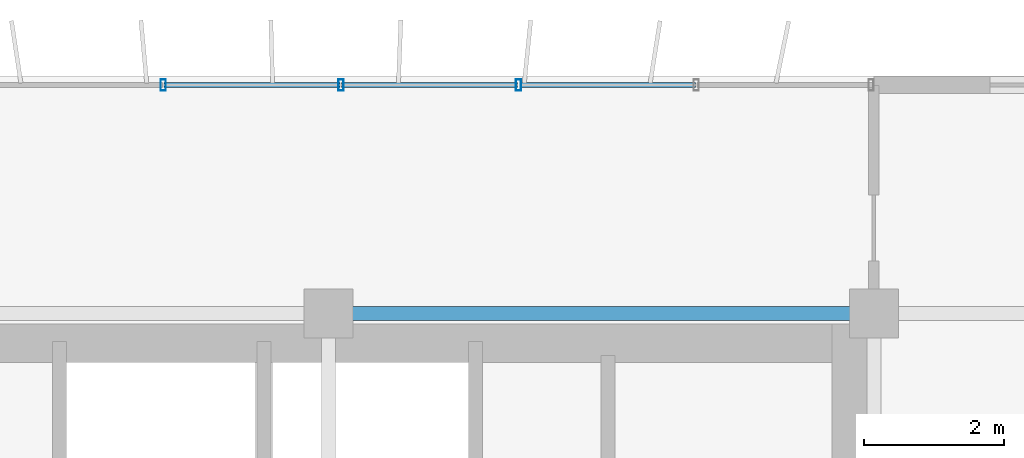
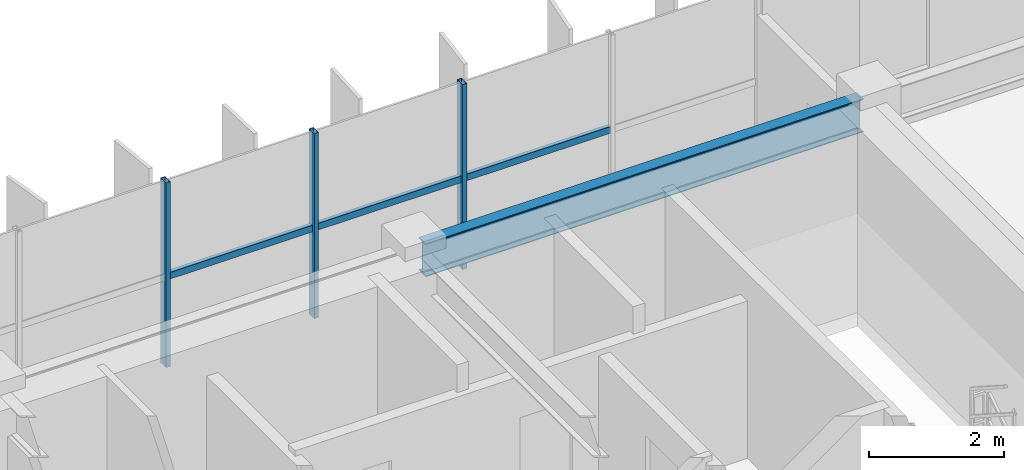
# One storey, part 10 of 20: 6 members, 1 beam, 1 element without a shape of its own.
"""IFC4 building model written with IfcOpenShell, lengths in metres."""

from ifc_helpers import new_model, si_unit, direction, frame, origin, origin_2d, place, context, subcontext, project, spatial, hollow_rectangle, i_section, extrude, source, transform, mapped, material, material_profile, profile_set, type_object, element, aggregate, save


model = new_model("IFC4")

# Units and contexts
model_context = context("Model", 3, precision=1e-05, world=origin(), true_north=direction((0.0, 1.0)))
body_context = subcontext(model_context, "Body", "Model", "MODEL_VIEW")
ifc_project = project(units=[si_unit("LENGTHUNIT", "METRE"), si_unit("AREAUNIT", "SQUARE_METRE"), si_unit("VOLUMEUNIT", "CUBIC_METRE"), si_unit("PLANEANGLEUNIT", "RADIAN"), si_unit("MASSUNIT", "GRAM", prefix="KILO")], contexts=[model_context])

# Site, building, storey
site_placement = place(None, origin())
site = spatial("IfcSite", under=ifc_project, at=site_placement, CompositionType="ELEMENT")
building_placement = place(site_placement, origin())
building = spatial("IfcBuilding", under=site, at=building_placement, Name="Trelvane Seafront Commons", CompositionType="ELEMENT")
storey_placement = place(building_placement, frame((0.0, 0.0, 146.5)))
storey = spatial("IfcBuildingStorey", under=building, at=storey_placement, Name="L38", CompositionType="ELEMENT", Elevation=146.5)

# Beam
ifc_material_1 = material(Name="Steel SM355 (S355)", Category="steel")
ifc_material_profile_1 = material_profile(ifc_material_1, i_section(OverallWidth=0.199951171875, OverallDepth=0.60009765625, WebThickness=0.010986328125, FlangeThickness=0.01708984375, at=origin_2d()), Name="H-600x200x11x17")
ifc_profile_set_1 = profile_set([ifc_material_profile_1], Name="Steel SM355 (S355)")
beam_type = type_object("IfcBeamType", Name="STR-SPD-H600", PredefinedType="SPANDREL", material=ifc_profile_set_1)
shared_shape_1 = source(origin(), body_context, "Body", "SweptSolid", [
    extrude(i_section(OverallWidth=0.199951171875, OverallDepth=0.60009765625, WebThickness=0.010986328125, FlangeThickness=0.01708984375, at=origin_2d()), origin(), (0.0, 0.0, 1.0), 7.5),
])
beam_placement = place(storey_placement, frame((51.14990234375, 45.10009765625, 3.050048828125), z_axis=(1.0, 0.0, 0.0), x_axis=(0.0, 1.0, 0.0)))
element("IfcBeam", 1, at=beam_placement, inside=storey, type_object=beam_type, Name="L38 Primary Girder G-27", PredefinedType="SPANDREL", context=body_context, shape_type="MappedRepresentation", body=[
    mapped(shared_shape_1, transform((0.0, 0.0, 0.0), x_axis=(1.0, 0.0, 0.0), y_axis=(0.0, 1.0, 0.0), z_axis=(0.0, 0.0, 1.0), scale=1.0)),
])

# Curtain wall, members
ifc_material_2 = material(Name="Anodised pale-silver aluminium", Category="aluminium")
curtain_wall_type = type_object("IfcCurtainWallType", Name="ARCH-CW5-UPTOWER", PredefinedType="NOTDEFINED", material=ifc_material_2)
curtain_wall_placement = place(storey_placement, origin())
curtain_wall = element("IfcCurtainWall", 2, at=curtain_wall_placement, inside=storey, type_object=curtain_wall_type, Name="CW-L38-0065", PredefinedType="NOTDEFINED")
ifc_material_profile_2 = material_profile(ifc_material_2, hollow_rectangle(XDim=0.070068359375, YDim=0.1201171875, WallThickness=0.00390625, at=origin_2d()), Name="TRAN-70x120x4")
ifc_profile_set_2 = profile_set([ifc_material_profile_2], Name="Anodised pale-silver aluminium")
member_type_1 = type_object("IfcMemberType", Name="ARCH-CW-TRAN-120", PredefinedType="USERDEFINED", material=ifc_profile_set_2)
shared_shape_2 = source(origin(), body_context, "Body", "SweptSolid", [
    extrude(hollow_rectangle(XDim=0.070068359375, YDim=0.1201171875, WallThickness=0.00390625, at=origin_2d()), origin(), (0.0, 0.0, 1.0), 2.51708984375),
])
member_1_placement = place(storey_placement, frame((51.1884765625, 48.3701171875, 1.60791015625), z_axis=(1.0, 0.0, 0.0), x_axis=(0.0, 1.0, 0.0)))
member_1 = element("IfcMember", 3, at=member_1_placement, type_object=member_type_1, Name="CW-L38-0065-T14", ObjectType="TRANSOM", PredefinedType="USERDEFINED", context=body_context, shape_type="MappedRepresentation", body=[
    mapped(shared_shape_2, transform((0.0, 0.0, 0.0), x_axis=(1.0, 0.0, 0.0), y_axis=(0.0, 1.0, 0.0), z_axis=(0.0, 0.0, 1.0), scale=1.0)),
])
shared_shape_3 = source(origin(), body_context, "Body", "SweptSolid", [
    extrude(hollow_rectangle(XDim=0.070068359375, YDim=0.1201171875, WallThickness=0.00390625, at=origin_2d()), origin(), (0.0, 0.0, 1.0), 2.517333984375),
])
member_2_placement = place(storey_placement, frame((48.647216796875, 48.3701171875, 1.60791015625), z_axis=(1.0, 0.0, 0.0), x_axis=(0.0, 1.0, 0.0)))
member_2 = element("IfcMember", 4, at=member_2_placement, type_object=member_type_1, Name="CW-L38-0065-T13", ObjectType="TRANSOM", PredefinedType="USERDEFINED", context=body_context, shape_type="MappedRepresentation", body=[
    mapped(shared_shape_3, transform((0.0, 0.0, 0.0), x_axis=(1.0, 0.0, 0.0), y_axis=(0.0, 1.0, 0.0), z_axis=(0.0, 0.0, 1.0), scale=1.0)),
])
member_3_placement = place(storey_placement, frame((53.7294921875, 48.3701171875, 1.60791015625), z_axis=(1.0, 0.0, 0.0), x_axis=(0.0, 1.0, 0.0)))
member_3 = element("IfcMember", 5, at=member_3_placement, type_object=member_type_1, Name="CW-L38-0065-T15", ObjectType="TRANSOM", PredefinedType="USERDEFINED", context=body_context, shape_type="MappedRepresentation", body=[
    mapped(shared_shape_3, transform((0.0, 0.0, 0.0), x_axis=(1.0, 0.0, 0.0), y_axis=(0.0, 1.0, 0.0), z_axis=(0.0, 0.0, 1.0), scale=1.0)),
])
ifc_material_profile_3 = material_profile(ifc_material_2, hollow_rectangle(XDim=0.074951171875, YDim=0.159912109375, WallThickness=0.00390625, at=origin_2d()), Name="MULL-75x160x4")
ifc_profile_set_3 = profile_set([ifc_material_profile_3], Name="Anodised pale-silver aluminium")
member_type_2 = type_object("IfcMemberType", Name="ARCH-CW-MULL-160", PredefinedType="MULLION", material=ifc_profile_set_3)
shared_shape_4 = source(origin(), body_context, "Body", "SweptSolid", [
    extrude(hollow_rectangle(XDim=0.074951171875, YDim=0.159912109375, WallThickness=0.00390625, at=origin_2d()), origin(), (0.0, 0.0, 1.0), 3.35009765625),
])
member_4_placement = place(storey_placement, frame((48.63525390625, 48.3701171875, 0.0), z_axis=(0.0, 0.0, 1.0), x_axis=(1.0, 0.0, 0.0)))
member_4 = element("IfcMember", 6, at=member_4_placement, type_object=member_type_2, Name="CW-L38-0065-M13", PredefinedType="MULLION", context=body_context, shape_type="MappedRepresentation", body=[
    mapped(shared_shape_4, transform((0.0, 0.0, 0.0), x_axis=(1.0, 0.0, 0.0), y_axis=(0.0, 1.0, 0.0), z_axis=(0.0, 0.0, 1.0), scale=1.0)),
])
member_5_placement = place(storey_placement, frame((51.176513671875, 48.3701171875, 0.0), z_axis=(0.0, 0.0, 1.0), x_axis=(1.0, 0.0, 0.0)))
member_5 = element("IfcMember", 7, at=member_5_placement, type_object=member_type_2, Name="CW-L38-0065-M14", PredefinedType="MULLION", context=body_context, shape_type="MappedRepresentation", body=[
    mapped(shared_shape_4, transform((0.0, 0.0, 0.0), x_axis=(1.0, 0.0, 0.0), y_axis=(0.0, 1.0, 0.0), z_axis=(0.0, 0.0, 1.0), scale=1.0)),
])
member_6_placement = place(storey_placement, frame((53.717529296875, 48.3701171875, 0.0), z_axis=(0.0, 0.0, 1.0), x_axis=(1.0, 0.0, 0.0)))
member_6 = element("IfcMember", 8, at=member_6_placement, type_object=member_type_2, Name="CW-L38-0065-M15", PredefinedType="MULLION", context=body_context, shape_type="MappedRepresentation", body=[
    mapped(shared_shape_4, transform((0.0, 0.0, 0.0), x_axis=(1.0, 0.0, 0.0), y_axis=(0.0, 1.0, 0.0), z_axis=(0.0, 0.0, 1.0), scale=1.0)),
])
aggregate(curtain_wall, [member_4, member_5, member_6, member_2, member_1, member_3])

save(model, "model.ifc")
